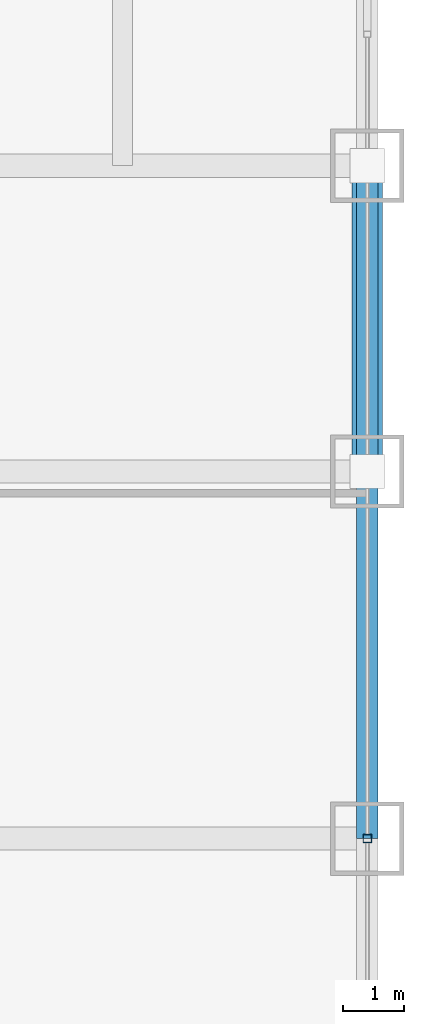
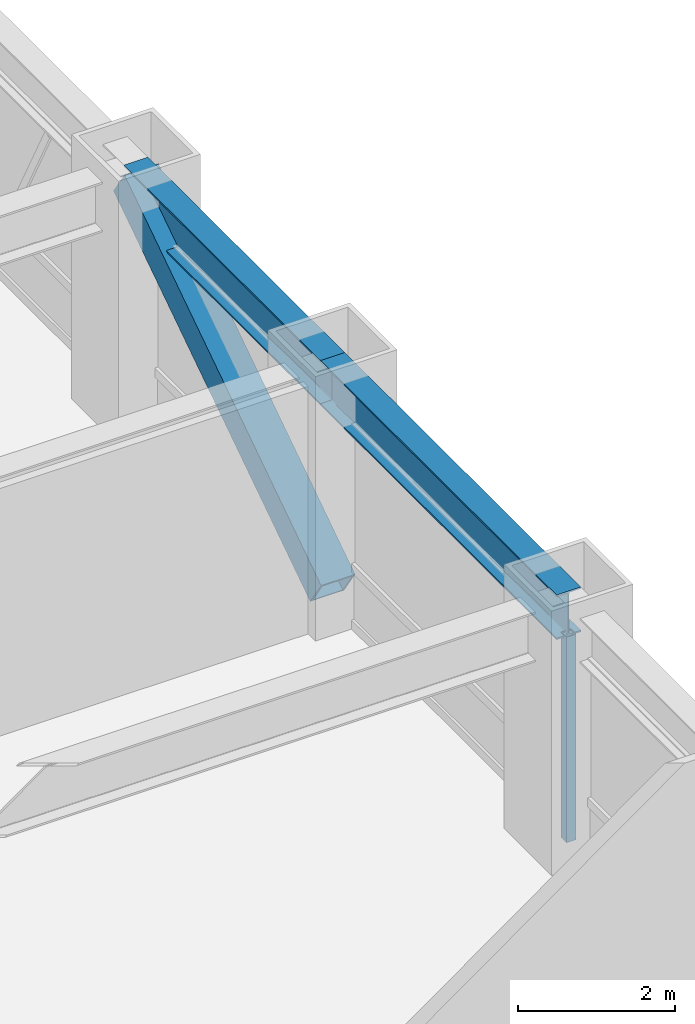
# One storey, part 14 of 27: 2 beams, 2 members, 1 element without a shape of its own.
"""IFC4 building model written with IfcOpenShell, lengths in metres."""

from ifc_helpers import new_model, si_unit, direction, frame, origin, origin_2d, place, context, subcontext, project, spatial, hollow_rectangle, i_section, extrude, source, transform, mapped, material, material_profile, profile_set, type_object, element, aggregate, save


model = new_model("IFC4")

# Units and contexts
model_context = context("Model", 3, precision=1e-05, world=origin(), true_north=direction((0.0, 1.0)))
body_context = subcontext(model_context, "Body", "Model", "MODEL_VIEW")
ifc_project = project(units=[si_unit("LENGTHUNIT", "METRE"), si_unit("AREAUNIT", "SQUARE_METRE"), si_unit("VOLUMEUNIT", "CUBIC_METRE"), si_unit("PLANEANGLEUNIT", "RADIAN"), si_unit("MASSUNIT", "GRAM", prefix="KILO")], contexts=[model_context])

# Site, building, storey
site_placement = place(None, origin())
site = spatial("IfcSite", under=ifc_project, at=site_placement, CompositionType="ELEMENT")
building_placement = place(site_placement, origin())
building = spatial("IfcBuilding", under=site, at=building_placement, Name="Khorayat Bourse Tower", CompositionType="ELEMENT")
storey_placement = place(building_placement, frame((0.0, 0.0, 107.800048828125)))
storey = spatial("IfcBuildingStorey", under=building, at=storey_placement, Name="L24", CompositionType="ELEMENT", Elevation=107.800048828125)

# Beams
ifc_material_1 = material(Name="Steel ASTM A992 Grade 50", Category="steel")
ifc_material_profile_1 = material_profile(ifc_material_1, i_section(OverallWidth=0.35498046875, OverallDepth=0.695068359375, WebThickness=0.015380859375, FlangeThickness=0.02490234375, FilletRadius=0.01806640625, at=origin_2d()), Name="W690X217")
ifc_profile_set_1 = profile_set([ifc_material_profile_1], Name="Steel ASTM A992 Grade 50")
beam_type = type_object("IfcBeamType", Name="BM-SPAN-690", PredefinedType="SPANDREL", material=ifc_profile_set_1)
shared_shape_1 = source(origin(), body_context, "Body", "SweptSolid", [
    extrude(i_section(OverallWidth=0.35498046875, OverallDepth=0.695068359375, WebThickness=0.015380859375, FlangeThickness=0.02490234375, FilletRadius=0.01806640625, at=origin_2d()), origin(), (0.0, 0.0, 1.0), 5.0),
])
beam_1_placement = place(storey_placement, frame((32.0, 6.0, 3.492431640625), z_axis=(0.0, 1.0, 0.0), x_axis=(-1.0, 0.0, 0.0)))
element("IfcBeam", 1, at=beam_1_placement, inside=storey, type_object=beam_type, Name="L24 BM-SPAN-690 BM-L24-SPN-039", PredefinedType="SPANDREL", context=body_context, shape_type="MappedRepresentation", body=[
    mapped(shared_shape_1, transform((0.0, 0.0, 0.0), scale=1.0)),
])
shared_shape_2 = source(origin(), body_context, "Body", "SweptSolid", [
    extrude(i_section(OverallWidth=0.35498046875, OverallDepth=0.695068359375, WebThickness=0.015380859375, FlangeThickness=0.02490234375, FilletRadius=0.01806640625, at=origin_2d()), origin(), (0.0, 0.0, 1.0), 6.0),
])
beam_2_placement = place(storey_placement, frame((32.0, 0.0, 3.492431640625), z_axis=(0.0, 1.0, 0.0), x_axis=(-1.0, 0.0, 0.0)))
element("IfcBeam", 2, at=beam_2_placement, inside=storey, type_object=beam_type, Name="L24 BM-SPAN-690 BM-L24-SPN-038", PredefinedType="SPANDREL", context=body_context, shape_type="MappedRepresentation", body=[
    mapped(shared_shape_2, transform((0.0, 0.0, 0.0), scale=1.0)),
])

# Member
ifc_material_2 = material(Name="Steel EN 10025-4 S460M", Category="steel")
ifc_material_profile_2 = material_profile(ifc_material_2, hollow_rectangle(XDim=0.5, YDim=0.5, WallThickness=0.028076171875, at=origin_2d()), Name="HSS 500x500x28")
ifc_profile_set_2 = profile_set([ifc_material_profile_2], Name="Steel EN 10025-4 S460M")
member_type_1 = type_object("IfcMemberType", Name="MBR-TUBE-500", PredefinedType="BRACE", material=ifc_profile_set_2)
shared_shape_3 = source(origin(), body_context, "Body", "SweptSolid", [
    extrude(hollow_rectangle(XDim=0.5, YDim=0.5, WallThickness=0.028076171875, at=origin_2d()), origin(), (0.0, 0.0, 1.0), 6.012939453125),
])
member_1_placement = place(storey_placement, frame((32.0, 6.0, 0.25), z_axis=(0.0, 0.831550226979, 0.555449565677), x_axis=(-1.0, 0.0, 0.0)))
element("IfcMember", 3, at=member_1_placement, inside=storey, type_object=member_type_1, Name="L24 Perimeter Tube Brace 08", PredefinedType="BRACE", context=body_context, shape_type="MappedRepresentation", body=[
    mapped(shared_shape_3, transform((0.0, 0.0, 0.0), scale=1.0)),
])

# Curtain wall, member
ifc_material_3 = material(Name="Aluminium EN AW-6063 T6", Category="aluminium")
curtain_wall_type = type_object("IfcCurtainWallType", Name="CW-SYS-02", PredefinedType="NOTDEFINED", material=ifc_material_3)
curtain_wall_placement = place(storey_placement, origin())
curtain_wall = element("IfcCurtainWall", 4, at=curtain_wall_placement, inside=storey, type_object=curtain_wall_type, Name="L24 Curtain Wall CW-L24-E1", PredefinedType="NOTDEFINED")
ifc_material_profile_3 = material_profile(ifc_material_3, hollow_rectangle(XDim=0.139892578125, YDim=0.139892578125, WallThickness=0.006103515625, at=origin_2d()), Name="ALU 140x140x6")
ifc_profile_set_3 = profile_set([ifc_material_profile_3], Name="Aluminium EN AW-6063 T6")
member_type_2 = type_object("IfcMemberType", Name="CWM-VERT-140", PredefinedType="MULLION", material=ifc_profile_set_3)
shared_shape_4 = source(origin(), body_context, "Body", "SweptSolid", [
    extrude(hollow_rectangle(XDim=0.139892578125, YDim=0.139892578125, WallThickness=0.006103515625, at=origin_2d()), origin(), (0.0, 0.0, 1.0), 3.18994140625),
])
member_2_placement = place(storey_placement, frame((32.0, 0.0, 0.0), z_axis=(0.0, 0.0, 1.0), x_axis=(-1.0, 0.0, 0.0)))
member_2 = element("IfcMember", 5, at=member_2_placement, type_object=member_type_2, Name="CW-L24-E1 Vertical Mullion 2", PredefinedType="MULLION", context=body_context, shape_type="MappedRepresentation", body=[
    mapped(shared_shape_4, transform((0.0, 0.0, 0.0), scale=1.0)),
])
aggregate(curtain_wall, [member_2])

save(model, "model.ifc")
